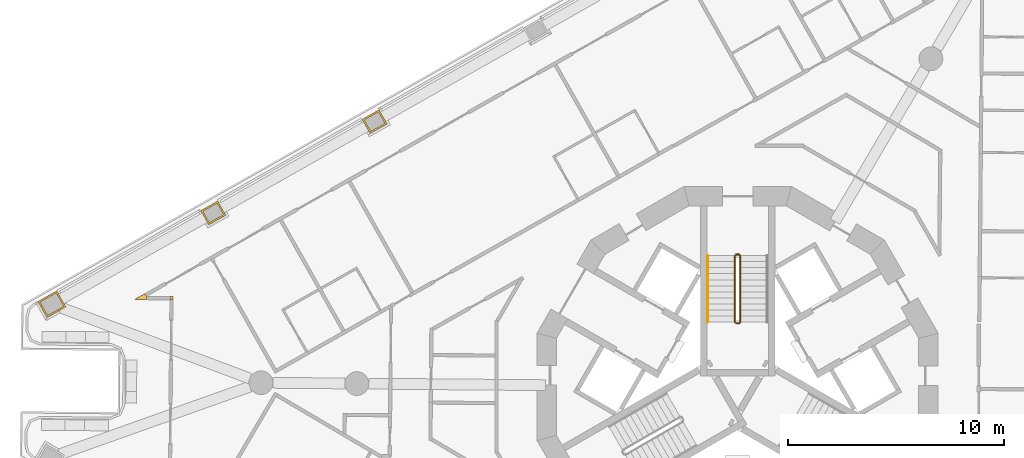
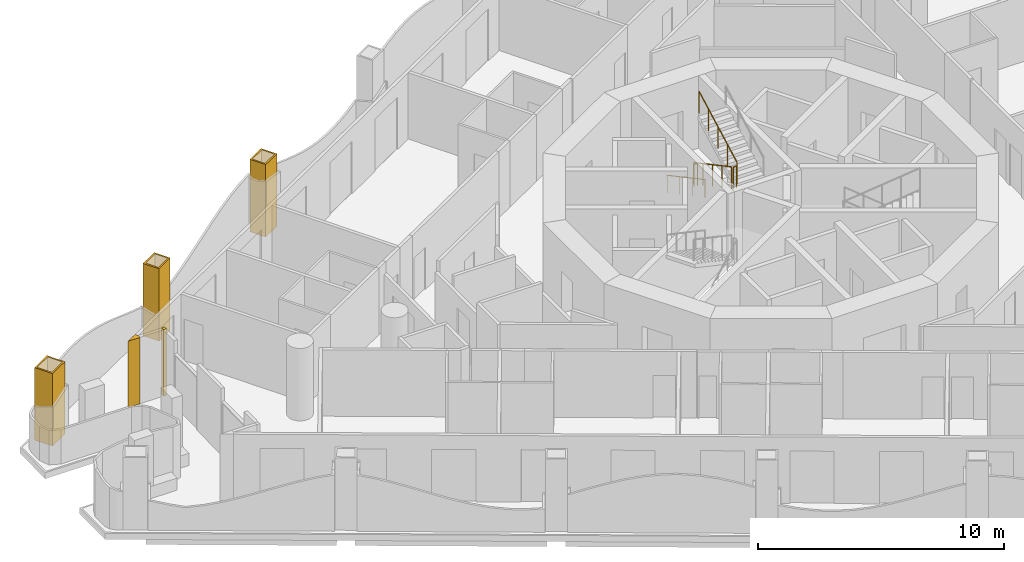
# One storey, part 15 of 17: 5 coverings, 5 railings.
"""IFC4 building model written with IfcOpenShell, lengths in metres."""

from ifc_helpers import new_model, si_unit, direction, frame, origin, origin_2d, place, context, subcontext, project, spatial, polyline, circle, outline, extrude, material, layer, layer_set, type_object, element, save


model = new_model("IFC4")

# Units and contexts
model_context = context("Model", 3, precision=1e-05, world=origin(), true_north=direction((0.0, 1.0)))
body_context = subcontext(model_context, "Body", "Model", "MODEL_VIEW")
ifc_project = project(units=[si_unit("LENGTHUNIT", "METRE"), si_unit("AREAUNIT", "SQUARE_METRE"), si_unit("VOLUMEUNIT", "CUBIC_METRE"), si_unit("PLANEANGLEUNIT", "RADIAN"), si_unit("MASSUNIT", "GRAM", prefix="KILO")], contexts=[model_context])

# Site, building, storey
site_placement = place(None, origin())
site = spatial("IfcSite", under=ifc_project, at=site_placement, CompositionType="ELEMENT")
building_placement = place(site_placement, origin())
building = spatial("IfcBuilding", under=site, at=building_placement, Name="Trine Commons Tower", CompositionType="ELEMENT")
storey_placement = place(building_placement, frame((0.0, 0.0, 164.699951171875)))
storey = spatial("IfcBuildingStorey", under=building, at=storey_placement, Name="L42", CompositionType="ELEMENT", Elevation=164.699951171875)

# Coverings
ifc_material_1 = material(Name="Aluminium-framed insulated wall panel", Category="aluminium")
ifc_layer_1 = layer(ifc_material_1, 0.14990234375)
ifc_layer_set_1 = layer_set([ifc_layer_1], Name="Aluminium-framed insulated wall panel")
covering_type_1 = type_object("IfcCoveringType", Name="Glazing corner post, aluminium", PredefinedType="CLADDING", material=ifc_layer_set_1)
covering_1_placement = place(storey_placement, origin())
element("IfcCovering", 1, at=covering_1_placement, inside=storey, type_object=covering_type_1, Name="Glazing corner post 5-03", PredefinedType="CLADDING", context=body_context, shape_type="SweptSolid", body=[
    extrude(outline(polyline([(53.89892578125, 66.517822265625), (53.900390625, 66.66796875), (53.750244140625, 66.669189453125), (53.7490234375, 66.519287109375), (53.89892578125, 66.517822265625)])), origin(), (0.0, 0.0, 1.0), 3.300048828125),
])
covering_2_placement = place(storey_placement, origin())
element("IfcCovering", 2, at=covering_2_placement, inside=storey, type_object=covering_type_1, Name="Glazing corner post 5-04", PredefinedType="CLADDING", context=body_context, shape_type="SweptSolid", body=[
    extrude(outline(polyline([(52.663330078125, 66.52880859375), (52.66455078125, 66.6787109375), (52.5908203125, 66.809326171875), (52.103515625, 66.53369140625), (52.663330078125, 66.52880859375)])), origin(), (0.0, 0.0, 1.0), 3.300048828125),
])
ifc_material_2 = material(Name="Limestone, honed", Category="masonry")
ifc_layer_2 = layer(ifc_material_2, 0.074951171875)
ifc_layer_set_2 = layer_set([ifc_layer_2], Name="Limestone, honed")
covering_type_2 = type_object("IfcCoveringType", Name="Limestone column cladding 75", PredefinedType="CLADDING", material=ifc_layer_set_2)
covering_3_placement = place(storey_placement, origin())
element("IfcCovering", 3, at=covering_3_placement, inside=storey, type_object=covering_type_2, Name="Limestone pier cladding 5-08", PredefinedType="CLADDING", context=body_context, shape_type="SweptSolid", body=[
    extrude(outline(polyline([(48.94091796875, 66.197509765625), (48.522216796875, 66.9375), (47.65185546875, 66.445068359375), (48.0703125, 65.705078125), (48.94091796875, 66.197509765625)]), holes=[polyline([(48.83837890625, 66.22607421875), (48.493896484375, 66.835205078125), (47.754150390625, 66.41650390625), (48.0986328125, 65.807373046875), (48.83837890625, 66.22607421875)])]), origin(), (0.0, 0.0, 1.0), 3.60009765625),
])
covering_4_placement = place(storey_placement, origin())
element("IfcCovering", 4, at=covering_4_placement, inside=storey, type_object=covering_type_2, Name="Limestone pier cladding 5-09", PredefinedType="CLADDING", context=body_context, shape_type="SweptSolid", body=[
    extrude(outline(polyline([(56.33203125, 70.43701171875), (55.962890625, 71.089599609375), (55.179443359375, 70.646484375), (55.548828125, 69.99365234375), (56.33203125, 70.43701171875)]), holes=[polyline([(56.22998046875, 70.46533203125), (55.9345703125, 70.987548828125), (55.28173828125, 70.6181640625), (55.5771484375, 70.095947265625), (56.22998046875, 70.46533203125)])]), origin(), (0.0, 0.0, 1.0), 3.60009765625),
])
covering_5_placement = place(storey_placement, origin())
element("IfcCovering", 5, at=covering_5_placement, inside=storey, type_object=covering_type_2, Name="Limestone pier cladding 5-10", PredefinedType="CLADDING", context=body_context, shape_type="SweptSolid", body=[
    extrude(outline(polyline([(63.79150390625, 74.6572265625), (63.422119140625, 75.31005859375), (62.638916015625, 74.86669921875), (63.00830078125, 74.214111328125), (63.79150390625, 74.6572265625)]), holes=[polyline([(63.689208984375, 74.685546875), (63.393798828125, 75.207763671875), (62.7412109375, 74.83837890625), (63.03662109375, 74.316162109375), (63.689208984375, 74.685546875)])]), origin(), (0.0, 0.0, 1.0), 3.60009765625),
])

# Railings
ifc_material_3 = material(Name="Stainless steel balustrade", Category="steel")
railing_type_1 = type_object("IfcRailingType", Name="Stair guard, steel balustrade 1100", PredefinedType="GUARDRAIL", material=ifc_material_3)
railing_1_placement = place(storey_placement, frame((79.875, 68.570556640625, 0.150146484375)))
element("IfcRailing", 6, at=railing_1_placement, inside=storey, type_object=railing_type_1, Name="L42 ST1B stair guard 1", PredefinedType="GUARDRAIL", context=body_context, shape_type="SweptSolid", body=[
    extrude(circle(Radius=0.02392578125, at=origin_2d()), frame((0.0, 0.0, 1.076171875), z_axis=(0.0, -0.881496589024, 0.472190389079), x_axis=(1.0, 0.0, 0.0)), (0.0, 0.0, 1.0), 3.494140625),
    extrude(circle(Radius=0.02099609375, at=origin_2d()), origin(), (0.0, 0.0, 1.0), 1.052001953125),
    extrude(circle(Radius=0.02099609375, at=origin_2d()), frame((0.0, -0.77001953125, 0.41259765625)), (0.0, 0.0, 1.0), 1.052001953125),
    extrude(circle(Radius=0.02099609375, at=origin_2d()), frame((0.0, -1.5400390625, 0.824951171875)), (0.0, 0.0, 1.0), 1.052001953125),
    extrude(circle(Radius=0.02099609375, at=origin_2d()), frame((0.0, -2.31005859375, 1.2373046875)), (0.0, 0.0, 1.0), 1.052001953125),
    extrude(circle(Radius=0.02099609375, at=origin_2d()), frame((0.0, -3.080078125, 1.64990234375)), (0.0, 0.0, 1.0), 1.052001953125),
])
railing_2_placement = place(storey_placement, frame((79.925048828125, 65.440673828125, 1.800048828125)))
element("IfcRailing", 7, at=railing_2_placement, inside=storey, type_object=railing_type_1, Name="L42 ST1B stair guard 2", PredefinedType="GUARDRAIL", context=body_context, shape_type="SweptSolid", body=[
    extrude(circle(Radius=0.02392578125, at=origin_2d()), frame((0.0, 0.0, 1.076171875), z_axis=(1.0, 0.0, 0.0), x_axis=(0.0, 1.0, 0.0)), (0.0, 0.0, 1.0), 0.14990234375),
    extrude(circle(Radius=0.02099609375, at=origin_2d()), origin(), (0.0, 0.0, 1.0), 1.052001953125),
    extrude(circle(Radius=0.02099609375, at=origin_2d()), frame((0.14990234375, 0.0, 0.0)), (0.0, 0.0, 1.0), 1.052001953125),
])
railing_3_placement = place(storey_placement, frame((80.125, 65.490478515625, 1.949951171875)))
element("IfcRailing", 8, at=railing_3_placement, inside=storey, type_object=railing_type_1, Name="L42 ST1B stair guard 3", PredefinedType="GUARDRAIL", context=body_context, shape_type="SweptSolid", body=[
    extrude(circle(Radius=0.02392578125, at=origin_2d()), frame((0.0, 0.0, 1.076171875), z_axis=(0.0, 0.881467505477, 0.472244678941), x_axis=(-1.0, 0.0, 0.0)), (0.0, 0.0, 1.0), 3.494140625),
    extrude(circle(Radius=0.02099609375, at=origin_2d()), origin(), (0.0, 0.0, 1.0), 1.052001953125),
    extrude(circle(Radius=0.02099609375, at=origin_2d()), frame((0.0, 0.77001953125, 0.41259765625)), (0.0, 0.0, 1.0), 1.052001953125),
    extrude(circle(Radius=0.02099609375, at=origin_2d()), frame((0.0, 1.5400390625, 0.8251953125)), (0.0, 0.0, 1.0), 1.052001953125),
    extrude(circle(Radius=0.02099609375, at=origin_2d()), frame((0.0, 2.31005859375, 1.237548828125)), (0.0, 0.0, 1.0), 1.052001953125),
    extrude(circle(Radius=0.02099609375, at=origin_2d()), frame((0.0, 3.080078125, 1.650146484375)), (0.0, 0.0, 1.0), 1.052001953125),
])
railing_4_placement = place(storey_placement, frame((79.925048828125, 68.62060546875, 0.0)))
element("IfcRailing", 9, at=railing_4_placement, inside=storey, type_object=railing_type_1, Name="L42 ST1B stair guard 4", PredefinedType="GUARDRAIL", context=body_context, shape_type="SweptSolid", body=[
    extrude(circle(Radius=0.02392578125, at=origin_2d()), frame((0.0, 0.0, 1.076171875), z_axis=(1.0, 0.0, 0.0), x_axis=(0.0, 1.0, 0.0)), (0.0, 0.0, 1.0), 0.14990234375),
    extrude(circle(Radius=0.02099609375, at=origin_2d()), origin(), (0.0, 0.0, 1.0), 1.052001953125),
    extrude(circle(Radius=0.02099609375, at=origin_2d()), frame((0.14990234375, 0.0, 0.0)), (0.0, 0.0, 1.0), 1.052001953125),
])
ifc_material_4 = material(Name="Stainless steel handrail", Category="steel")
railing_type_2 = type_object("IfcRailingType", Name="Stair handrail, steel 900", PredefinedType="HANDRAIL", material=ifc_material_4)
railing_5_placement = place(storey_placement, frame((78.625, 68.570556640625, 0.150146484375)))
element("IfcRailing", 10, at=railing_5_placement, inside=storey, type_object=railing_type_2, Name="L42 ST1B stair handrail 1", PredefinedType="HANDRAIL", context=body_context, shape_type="SweptSolid", body=[
    extrude(circle(Radius=0.02099609375, at=origin_2d()), frame((0.0, 0.0, 0.87890625), z_axis=(0.0, -0.881496589024, 0.472190389079), x_axis=(1.0, 0.0, 0.0)), (0.0, 0.0, 1.0), 3.494140625),
    extrude(circle(Radius=0.01513671875, at=origin_2d()), origin(), (0.0, 0.0, 1.0), 0.85791015625),
    extrude(circle(Radius=0.01513671875, at=origin_2d()), frame((0.0, -1.026611328125, 0.550048828125)), (0.0, 0.0, 1.0), 0.85791015625),
    extrude(circle(Radius=0.01513671875, at=origin_2d()), frame((0.0, -2.053466796875, 1.099853515625)), (0.0, 0.0, 1.0), 0.85791015625),
    extrude(circle(Radius=0.01513671875, at=origin_2d()), frame((0.0, -3.080078125, 1.64990234375)), (0.0, 0.0, 1.0), 0.85791015625),
])

save(model, "model.ifc")
